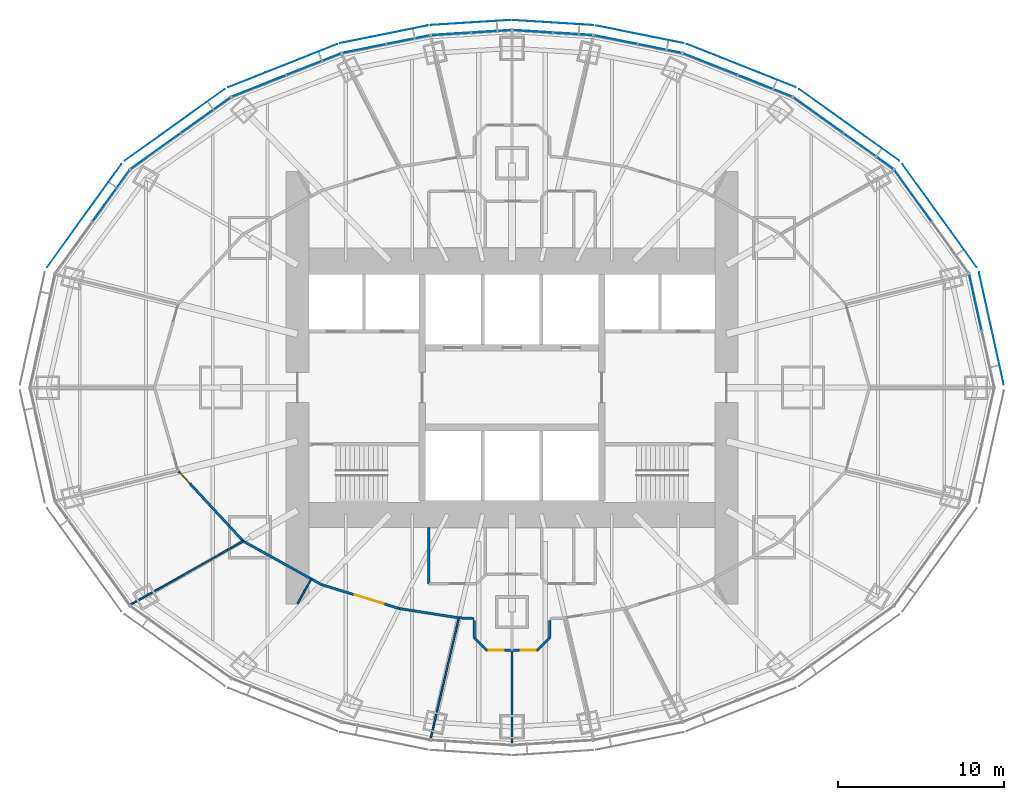
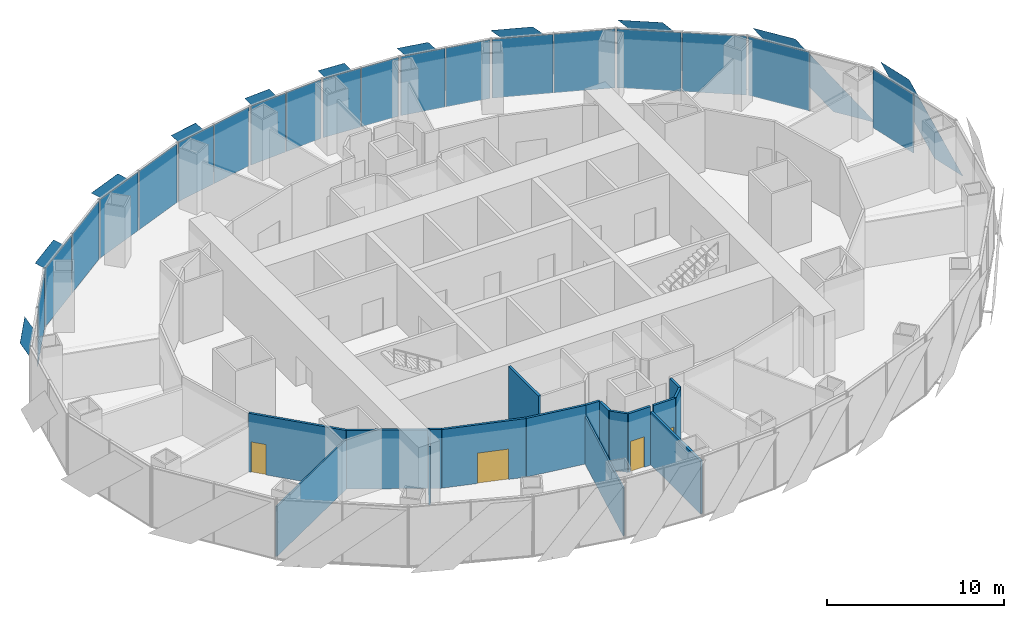
# One storey, part 10 of 17: 30 plates, 16 walls, 4 doors, 4 openings, 11 elements without a shape of their own.
"""IFC4 building model written with IfcOpenShell, lengths in metres."""

from ifc_helpers import new_model, si_unit, direction, frame, frame_2d, origin, origin_2d, place, context, subcontext, project, spatial, polyline, rectangle, outline, extrude, material, layer, layer_set, type_object, element, fill, aggregate, save


model = new_model("IFC4")

# Units and contexts
model_context = context("Model", 3, precision=1e-05, world=origin(), true_north=direction((0.0, 1.0)))
body_context = subcontext(model_context, "Body", "Model", "MODEL_VIEW")
ifc_project = project(units=[si_unit("LENGTHUNIT", "METRE"), si_unit("AREAUNIT", "SQUARE_METRE"), si_unit("VOLUMEUNIT", "CUBIC_METRE"), si_unit("PLANEANGLEUNIT", "RADIAN"), si_unit("MASSUNIT", "GRAM", prefix="KILO")], contexts=[model_context])

# Site, building, storey
site_placement = place(None, origin())
site = spatial("IfcSite", under=ifc_project, at=site_placement, CompositionType="ELEMENT")
building_placement = place(site_placement, origin())
building = spatial("IfcBuilding", under=site, at=building_placement, Name="Lantaw Convention Tower", CompositionType="ELEMENT")
storey_placement = place(building_placement, frame((0.0, 0.0, 155.199951171875)))
storey = spatial("IfcBuildingStorey", under=building, at=storey_placement, Name="L36", CompositionType="ELEMENT", Elevation=155.199951171875)

# Curtain wall, plate
ifc_material_1 = material(Name="Aluminium framed curtain wall", Category="aluminium")
curtain_wall_type = type_object("IfcCurtainWallType", Name="Office curtain wall low rise, pale aluminium", PredefinedType="USERDEFINED", material=ifc_material_1)
curtain_wall_1_placement = place(storey_placement, origin())
curtain_wall_1 = element("IfcCurtainWall", 1, at=curtain_wall_1_placement, inside=storey, type_object=curtain_wall_type, Name="Office curtain wall low rise, pale aluminium L36", ObjectType="UNITISED CURTAIN WALL", PredefinedType="USERDEFINED")
ifc_material_2 = material(Name="Clear insulating glass", Category="glass")
ifc_layer_1 = layer(ifc_material_2, 0.028076171875)
ifc_layer_set_1 = layer_set([ifc_layer_1], Name="CW-O1 panel 28")
plate_type_1 = type_object("IfcPlateType", Name="CW-O1 panel 28", PredefinedType="CURTAIN_PANEL", material=ifc_layer_set_1)
plate_1_placement = place(storey_placement, frame((27.868896484375, 5.1240234375, -0.0849609375), z_axis=(0.0, 0.0, 1.0), x_axis=(-0.215546166174, 0.9764936509, 0.0)))
plate_1 = element("IfcPlate", 2, at=plate_1_placement, type_object=plate_type_1, Name="CW-O1 panel 2.1", PredefinedType="CURTAIN_PANEL", context=body_context, shape_type="SweptSolid", body=[
    extrude(rectangle(XDim=3.41162109375, YDim=0.028076171875, at=origin_2d()), origin(), (0.0, 0.0, 1.0), 4.070068359375),
])
aggregate(curtain_wall_1, [plate_1])

curtain_wall_2_placement = place(storey_placement, origin())
curtain_wall_2 = element("IfcCurtainWall", 3, at=curtain_wall_2_placement, inside=storey, type_object=curtain_wall_type, Name="Office curtain wall low rise, pale aluminium L36", ObjectType="UNITISED CURTAIN WALL", PredefinedType="USERDEFINED")
plate_2_placement = place(storey_placement, frame((24.108154296875, 11.5439453125, -0.0849609375), z_axis=(0.0, 0.0, 1.0), x_axis=(-0.584512597221, 0.811384633629, 0.0)))
plate_2 = element("IfcPlate", 4, at=plate_2_placement, type_object=plate_type_1, Name="CW-O1 panel 2.1", PredefinedType="CURTAIN_PANEL", context=body_context, shape_type="SweptSolid", body=[
    extrude(rectangle(XDim=3.767333984375, YDim=0.028076171875, at=origin_2d()), origin(), (0.0, 0.0, 1.0), 4.070068359375),
])
aggregate(curtain_wall_2, [plate_2])

# Curtain wall, plates
curtain_wall_3_placement = place(storey_placement, origin())
curtain_wall_3 = element("IfcCurtainWall", 5, at=curtain_wall_3_placement, inside=storey, type_object=curtain_wall_type, Name="Office curtain wall low rise, pale aluminium L36", ObjectType="UNITISED CURTAIN WALL", PredefinedType="USERDEFINED")
plate_3_placement = place(storey_placement, frame((21.43408203125, 14.2236328125, -0.0849609375), z_axis=(0.0, 0.0, 1.0), x_axis=(-0.813208325995, 0.581972695693, 0.0)))
plate_3 = element("IfcPlate", 6, at=plate_3_placement, type_object=plate_type_1, Name="CW-O1 panel 1.1", PredefinedType="CURTAIN_PANEL", context=body_context, shape_type="SweptSolid", body=[
    extrude(rectangle(XDim=3.645263671875, YDim=0.028076171875, at=origin_2d()), origin(), (0.0, 0.0, 1.0), 4.070068359375),
])
plate_4_placement = place(storey_placement, frame((18.416748046875, 16.383056640625, -0.0849609375), z_axis=(0.0, 0.0, 1.0), x_axis=(-0.813208325995, 0.581972695693, 0.0)))
plate_4 = element("IfcPlate", 7, at=plate_4_placement, type_object=plate_type_1, Name="CW-O1 panel 2.1", PredefinedType="CURTAIN_PANEL", context=body_context, shape_type="SweptSolid", body=[
    extrude(rectangle(XDim=3.645263671875, YDim=0.028076171875, at=origin_2d()), origin(), (0.0, 0.0, 1.0), 4.070068359375),
])
aggregate(curtain_wall_3, [plate_3, plate_4])

curtain_wall_4_placement = place(storey_placement, origin())
curtain_wall_4 = element("IfcCurtainWall", 8, at=curtain_wall_4_placement, inside=storey, type_object=curtain_wall_type, Name="Office curtain wall low rise, pale aluminium L36", ObjectType="UNITISED CURTAIN WALL", PredefinedType="USERDEFINED")
plate_5_placement = place(storey_placement, frame((15.208251953125, 18.145263671875, -0.0849609375), z_axis=(0.0, 0.0, 1.0), x_axis=(-0.929547687544, 0.368701907483, 0.0)))
plate_5 = element("IfcPlate", 9, at=plate_5_placement, type_object=plate_type_1, Name="CW-O1 panel 1.1", PredefinedType="CURTAIN_PANEL", context=body_context, shape_type="SweptSolid", body=[
    extrude(rectangle(XDim=3.470703125, YDim=0.028076171875, at=origin_2d()), origin(), (0.0, 0.0, 1.0), 4.070068359375),
])
plate_6_placement = place(storey_placement, frame((11.921630859375, 19.448974609375, -0.0849609375), z_axis=(0.0, 0.0, 1.0), x_axis=(-0.929547687544, 0.368701907483, 0.0)))
plate_6 = element("IfcPlate", 10, at=plate_6_placement, type_object=plate_type_1, Name="CW-O1 panel 2.1", PredefinedType="CURTAIN_PANEL", context=body_context, shape_type="SweptSolid", body=[
    extrude(rectangle(XDim=3.470703125, YDim=0.028076171875, at=origin_2d()), origin(), (0.0, 0.0, 1.0), 4.070068359375),
])
aggregate(curtain_wall_4, [plate_5, plate_6])

curtain_wall_5_placement = place(storey_placement, origin())
curtain_wall_5 = element("IfcCurtainWall", 11, at=curtain_wall_5_placement, inside=storey, type_object=curtain_wall_type, Name="Office curtain wall low rise, pale aluminium L36", ObjectType="UNITISED CURTAIN WALL", PredefinedType="USERDEFINED")
plate_7_placement = place(storey_placement, frame((8.893310546875, 20.3857421875, -0.0849609375), z_axis=(0.0, 0.0, 1.0), x_axis=(-0.980301514912, 0.197506809659, 0.0)))
plate_7 = element("IfcPlate", 12, at=plate_7_placement, type_object=plate_type_1, Name="CW-O1 panel 1.1", PredefinedType="CURTAIN_PANEL", context=body_context, shape_type="SweptSolid", body=[
    extrude(rectangle(XDim=2.634033203125, YDim=0.028076171875, at=origin_2d()), origin(), (0.0, 0.0, 1.0), 4.070068359375),
])
plate_8_placement = place(storey_placement, frame((6.247314453125, 20.9189453125, -0.0849609375), z_axis=(0.0, 0.0, 1.0), x_axis=(-0.980301514912, 0.197506809659, 0.0)))
plate_8 = element("IfcPlate", 13, at=plate_8_placement, type_object=plate_type_1, Name="CW-O1 panel 2.1", PredefinedType="CURTAIN_PANEL", context=body_context, shape_type="SweptSolid", body=[
    extrude(rectangle(XDim=2.634033203125, YDim=0.028076171875, at=origin_2d()), origin(), (0.0, 0.0, 1.0), 4.070068359375),
])
aggregate(curtain_wall_5, [plate_7, plate_8])

curtain_wall_6_placement = place(storey_placement, origin())
curtain_wall_6 = element("IfcCurtainWall", 14, at=curtain_wall_6_placement, inside=storey, type_object=curtain_wall_type, Name="Office curtain wall low rise, pale aluminium L36", ObjectType="UNITISED CURTAIN WALL", PredefinedType="USERDEFINED")
plate_9_placement = place(storey_placement, frame((3.653076171875, 21.269775390625, -0.0849609375), z_axis=(0.0, 0.0, 1.0), x_axis=(-0.998022035978, 0.062865059466, 0.0)))
plate_9 = element("IfcPlate", 15, at=plate_9_placement, type_object=plate_type_1, Name="CW-O1 panel 1.1", PredefinedType="CURTAIN_PANEL", context=body_context, shape_type="SweptSolid", body=[
    extrude(rectangle(XDim=2.353515625, YDim=0.028076171875, at=origin_2d()), origin(), (0.0, 0.0, 1.0), 4.070068359375),
])
plate_10_placement = place(storey_placement, frame((1.2392578125, 21.421875, -0.0849609375), z_axis=(0.0, 0.0, 1.0), x_axis=(-0.998022035978, 0.062865059466, 0.0)))
plate_10 = element("IfcPlate", 16, at=plate_10_placement, type_object=plate_type_1, Name="CW-O1 panel 2.1", PredefinedType="CURTAIN_PANEL", context=body_context, shape_type="SweptSolid", body=[
    extrude(rectangle(XDim=2.353515625, YDim=0.028076171875, at=origin_2d()), origin(), (0.0, 0.0, 1.0), 4.070068359375),
])
aggregate(curtain_wall_6, [plate_9, plate_10])

curtain_wall_7_placement = place(storey_placement, origin())
curtain_wall_7 = element("IfcCurtainWall", 17, at=curtain_wall_7_placement, inside=storey, type_object=curtain_wall_type, Name="Office curtain wall low rise, pale aluminium L36", ObjectType="UNITISED CURTAIN WALL", PredefinedType="USERDEFINED")
plate_11_placement = place(storey_placement, frame((-1.2392578125, 21.421875, -0.0849609375), z_axis=(0.0, 0.0, 1.0), x_axis=(-0.998022035978, -0.062865059466, 0.0)))
plate_11 = element("IfcPlate", 18, at=plate_11_placement, type_object=plate_type_1, Name="CW-O1 panel 1.1", PredefinedType="CURTAIN_PANEL", context=body_context, shape_type="SweptSolid", body=[
    extrude(rectangle(XDim=2.353515625, YDim=0.028076171875, at=origin_2d()), origin(), (0.0, 0.0, 1.0), 4.070068359375),
])
plate_12_placement = place(storey_placement, frame((-3.653076171875, 21.269775390625, -0.0849609375), z_axis=(0.0, 0.0, 1.0), x_axis=(-0.998022035978, -0.062865059466, 0.0)))
plate_12 = element("IfcPlate", 19, at=plate_12_placement, type_object=plate_type_1, Name="CW-O1 panel 2.1", PredefinedType="CURTAIN_PANEL", context=body_context, shape_type="SweptSolid", body=[
    extrude(rectangle(XDim=2.353515625, YDim=0.028076171875, at=origin_2d()), origin(), (0.0, 0.0, 1.0), 4.070068359375),
])
aggregate(curtain_wall_7, [plate_11, plate_12])

curtain_wall_8_placement = place(storey_placement, origin())
curtain_wall_8 = element("IfcCurtainWall", 20, at=curtain_wall_8_placement, inside=storey, type_object=curtain_wall_type, Name="Office curtain wall low rise, pale aluminium L36", ObjectType="UNITISED CURTAIN WALL", PredefinedType="USERDEFINED")
plate_13_placement = place(storey_placement, frame((-6.247314453125, 20.9189453125, -0.0849609375), z_axis=(0.0, 0.0, 1.0), x_axis=(-0.980301514912, -0.197506809659, 0.0)))
plate_13 = element("IfcPlate", 21, at=plate_13_placement, type_object=plate_type_1, Name="CW-O1 panel 1.1", PredefinedType="CURTAIN_PANEL", context=body_context, shape_type="SweptSolid", body=[
    extrude(rectangle(XDim=2.634033203125, YDim=0.028076171875, at=origin_2d()), origin(), (0.0, 0.0, 1.0), 4.070068359375),
])
plate_14_placement = place(storey_placement, frame((-8.893310546875, 20.3857421875, -0.0849609375), z_axis=(0.0, 0.0, 1.0), x_axis=(-0.980301514912, -0.197506809659, 0.0)))
plate_14 = element("IfcPlate", 22, at=plate_14_placement, type_object=plate_type_1, Name="CW-O1 panel 2.1", PredefinedType="CURTAIN_PANEL", context=body_context, shape_type="SweptSolid", body=[
    extrude(rectangle(XDim=2.634033203125, YDim=0.028076171875, at=origin_2d()), origin(), (0.0, 0.0, 1.0), 4.070068359375),
])
aggregate(curtain_wall_8, [plate_13, plate_14])

curtain_wall_9_placement = place(storey_placement, origin())
curtain_wall_9 = element("IfcCurtainWall", 23, at=curtain_wall_9_placement, inside=storey, type_object=curtain_wall_type, Name="Office curtain wall low rise, pale aluminium L36", ObjectType="UNITISED CURTAIN WALL", PredefinedType="USERDEFINED")
plate_15_placement = place(storey_placement, frame((-11.921630859375, 19.448974609375, -0.0849609375), z_axis=(0.0, 0.0, 1.0), x_axis=(-0.929547687544, -0.368701907483, 0.0)))
plate_15 = element("IfcPlate", 24, at=plate_15_placement, type_object=plate_type_1, Name="CW-O1 panel 1.1", PredefinedType="CURTAIN_PANEL", context=body_context, shape_type="SweptSolid", body=[
    extrude(rectangle(XDim=3.470703125, YDim=0.028076171875, at=origin_2d()), origin(), (0.0, 0.0, 1.0), 4.070068359375),
])
plate_16_placement = place(storey_placement, frame((-15.208251953125, 18.145263671875, -0.0849609375), z_axis=(0.0, 0.0, 1.0), x_axis=(-0.929547687544, -0.368701907483, 0.0)))
plate_16 = element("IfcPlate", 25, at=plate_16_placement, type_object=plate_type_1, Name="CW-O1 panel 2.1", PredefinedType="CURTAIN_PANEL", context=body_context, shape_type="SweptSolid", body=[
    extrude(rectangle(XDim=3.470703125, YDim=0.028076171875, at=origin_2d()), origin(), (0.0, 0.0, 1.0), 4.070068359375),
])
aggregate(curtain_wall_9, [plate_15, plate_16])

curtain_wall_10_placement = place(storey_placement, origin())
curtain_wall_10 = element("IfcCurtainWall", 26, at=curtain_wall_10_placement, inside=storey, type_object=curtain_wall_type, Name="Office curtain wall low rise, pale aluminium L36", ObjectType="UNITISED CURTAIN WALL", PredefinedType="USERDEFINED")
plate_17_placement = place(storey_placement, frame((-18.416748046875, 16.383056640625, -0.0849609375), z_axis=(0.0, 0.0, 1.0), x_axis=(-0.813208325995, -0.581972695693, 0.0)))
plate_17 = element("IfcPlate", 27, at=plate_17_placement, type_object=plate_type_1, Name="CW-O1 panel 1.1", PredefinedType="CURTAIN_PANEL", context=body_context, shape_type="SweptSolid", body=[
    extrude(rectangle(XDim=3.645263671875, YDim=0.028076171875, at=origin_2d()), origin(), (0.0, 0.0, 1.0), 4.070068359375),
])
plate_18_placement = place(storey_placement, frame((-21.43408203125, 14.2236328125, -0.0849609375), z_axis=(0.0, 0.0, 1.0), x_axis=(-0.813208325995, -0.581972695693, 0.0)))
plate_18 = element("IfcPlate", 28, at=plate_18_placement, type_object=plate_type_1, Name="CW-O1 panel 2.1", PredefinedType="CURTAIN_PANEL", context=body_context, shape_type="SweptSolid", body=[
    extrude(rectangle(XDim=3.645263671875, YDim=0.028076171875, at=origin_2d()), origin(), (0.0, 0.0, 1.0), 4.070068359375),
])
aggregate(curtain_wall_10, [plate_17, plate_18])

# Curtain wall, plate
curtain_wall_11_placement = place(storey_placement, origin())
curtain_wall_11 = element("IfcCurtainWall", 29, at=curtain_wall_11_placement, inside=storey, type_object=curtain_wall_type, Name="Office curtain wall low rise, pale aluminium L36", ObjectType="UNITISED CURTAIN WALL", PredefinedType="USERDEFINED")
plate_19_placement = place(storey_placement, frame((-24.108154296875, 11.5439453125, -0.0849609375), z_axis=(0.0, 0.0, 1.0), x_axis=(-0.584512597221, -0.811384633629, 0.0)))
plate_19 = element("IfcPlate", 30, at=plate_19_placement, type_object=plate_type_1, Name="CW-O1 panel 1.1", PredefinedType="CURTAIN_PANEL", context=body_context, shape_type="SweptSolid", body=[
    extrude(rectangle(XDim=3.767333984375, YDim=0.028076171875, at=origin_2d()), origin(), (0.0, 0.0, 1.0), 4.070068359375),
])
aggregate(curtain_wall_11, [plate_19])

# Plates
ifc_material_3 = material(Name="Perforated aluminium sheet, pale silver finish", Category="aluminium")
ifc_layer_2 = layer(ifc_material_3, 0.006103515625)
ifc_layer_set_2 = layer_set([ifc_layer_2], Name="Perforated aluminium solar SCREEN panel")
plate_type_2 = type_object("IfcPlateType", Name="Perforated aluminium solar SCREEN panel", PredefinedType="SHEET", material=ifc_layer_set_2)
plate_20_placement = place(storey_placement, frame((29.5810546875, 0.179443359375, -0.175048828125), z_axis=(0.976497812463, 0.215527309509, 3.332717e-05), x_axis=(-0.215527309629, 0.976497813005, 1.665e-09)))
element("IfcPlate", 31, at=plate_20_placement, inside=storey, type_object=plate_type_2, Name="Solar SCREEN panel", PredefinedType="SHEET", context=body_context, shape_type="SweptSolid", body=[
    extrude(outline(polyline([(0.0, 0.0), (2.3861843673609986, 3.3881317890172014e-21), (6.918240190546627, 4.340087881517419), (4.532108442157707, 4.340087889462621), (0.0, 0.0)])), origin(), (0.0, 0.0, -1.0), 0.006103515625),
])
plate_21_placement = place(storey_placement, frame((27.94970703125, 7.248046875, -0.175048828125), z_axis=(0.81139512159, 0.584498037099, 3.5886784e-05), x_axis=(-0.584498037475, 0.811395122112, -9.74e-10)))
element("IfcPlate", 32, at=plate_21_placement, inside=storey, type_object=plate_type_2, Name="Solar SCREEN panel", PredefinedType="SHEET", context=body_context, shape_type="SweptSolid", body=[
    extrude(outline(polyline([(0.0, 0.0), (2.628222178575422, -6.776263578034403e-21), (7.629778257969264, 4.340087900852944), (5.001754173906077, 4.340087895732103), (0.0, 0.0)])), origin(), (0.0, 0.0, -1.0), 0.006103515625),
])
plate_22_placement = place(storey_placement, frame((23.281005859375, 13.64697265625, -0.175048828125), z_axis=(0.582000183937, 0.813188653244, 1.1537145e-05), x_axis=(-0.813188653298, 0.582000183975, 0.0)))
element("IfcPlate", 33, at=plate_22_placement, inside=storey, type_object=plate_type_2, Name="Solar SCREEN panel", PredefinedType="SHEET", context=body_context, shape_type="SweptSolid", body=[
    extrude(outline(polyline([(0.0, 0.0), (2.5450183911586484, 0.0), (7.385531276904658, 4.340087890913846), (4.840512885746009, 4.340087890913846), (0.0, 0.0)])), origin(), (0.0, 0.0, -1.0), 0.006103515625),
])
plate_23_placement = place(storey_placement, frame((17.05859375, 18.063232421875, -0.175048828125), z_axis=(-0.368708915367, -0.929544907797, 1.086705e-05), x_axis=(-0.929544907851, 0.368708915389, 7.1e-10)))
element("IfcPlate", 34, at=plate_23_placement, inside=storey, type_object=plate_type_2, Name="Solar SCREEN panel", PredefinedType="SHEET", context=body_context, shape_type="SweptSolid", body=[
    extrude(outline(polyline([(0.0, 0.0), (2.4263803793049097, -1.6940658945086007e-21), (7.036549629566982, -4.340087885886879), (4.61003232741235, -4.340087889331358), (0.0, 0.0)])), origin(), (0.0, 0.0, -1.0), 0.006103515625),
])
plate_24_placement = place(storey_placement, frame((10.318603515625, 20.716796875, -0.175048828125), z_axis=(0.197556725442, 0.980291455983, 3.9483498e-05), x_axis=(-0.980291456747, 0.197556725596, 0.0)))
element("IfcPlate", 35, at=plate_24_placement, inside=storey, type_object=plate_type_2, Name="Solar SCREEN panel", PredefinedType="SHEET", context=body_context, shape_type="SweptSolid", body=[
    extrude(outline(polyline([(0.0, 0.0), (1.8574075788555457, 3.3881317890172014e-21), (5.362987026845185, 4.340087894007983), (3.505579447989639, 4.340087894007983), (0.0, 0.0)])), origin(), (0.0, 0.0, -1.0), 0.006103515625),
])
plate_25_placement = place(storey_placement, frame((4.880615234375, 21.7998046875, -0.175048828125), z_axis=(0.062838799866, 0.998023689713, 1.755059e-06), x_axis=(-0.998023689715, 0.062838799866, -8e-12)))
element("IfcPlate", 36, at=plate_25_placement, inside=storey, type_object=plate_type_2, Name="Solar SCREEN panel", PredefinedType="SHEET", context=body_context, shape_type="SweptSolid", body=[
    extrude(outline(polyline([(0.0, 0.0), (1.6666243269452135, 2.6469779601696886e-23), (4.802214797186689, 4.340087890670476), (3.135346812114104, 4.340087890643548), (0.0, 0.0)])), origin(), (0.0, 0.0, -1.0), 0.006103515625),
])
plate_26_placement = place(storey_placement, frame((-0.087890625, 22.1015625, -0.175048828125), z_axis=(0.062838799866, -0.998023689713, 1.755059e-06), x_axis=(-0.998023689715, -0.062838799866, 8e-12)))
element("IfcPlate", 37, at=plate_26_placement, inside=storey, type_object=plate_type_2, Name="Solar SCREEN panel", PredefinedType="SHEET", context=body_context, shape_type="SweptSolid", body=[
    extrude(outline(polyline([(0.0, 0.0), (1.6668679850725854, -5.293955920339377e-23), (4.802214797256801, -4.340087890592899), (3.1355904703115876, -4.340087890619822), (0.0, 0.0)])), origin(), (0.0, 0.0, -1.0), 0.006103515625),
])
plate_27_placement = place(storey_placement, frame((-5.061279296875, 21.776123046875, -0.175048828125), z_axis=(0.197556725442, -0.980291455983, 3.9483498e-05), x_axis=(-0.980291456747, -0.197556725596, 0.0)))
element("IfcPlate", 38, at=plate_27_placement, inside=storey, type_object=plate_type_2, Name="Solar SCREEN panel", PredefinedType="SHEET", context=body_context, shape_type="SweptSolid", body=[
    extrude(outline(polyline([(0.0, 0.0), (1.8574075788555457, -3.3881317890172014e-21), (5.362987026845185, -4.340087894007983), (3.505579447989639, -4.340087894007983), (0.0, 0.0)])), origin(), (0.0, 0.0, -1.0), 0.006103515625),
])
plate_28_placement = place(storey_placement, frame((-10.517822265625, 20.65771484375, -0.175048828125), z_axis=(-0.368708915367, 0.929544907797, 1.086705e-05), x_axis=(-0.929544907851, -0.368708915389, -7.1e-10)))
element("IfcPlate", 39, at=plate_28_placement, inside=storey, type_object=plate_type_2, Name="Solar SCREEN panel", PredefinedType="SHEET", context=body_context, shape_type="SweptSolid", body=[
    extrude(outline(polyline([(0.0, 0.0), (2.426517302154632, -1.6940658945086007e-21), (7.036549623406159, 4.340087895875372), (4.610169244101249, 4.340087892431086), (0.0, 0.0)])), origin(), (0.0, 0.0, -1.0), 0.006103515625),
])
plate_29_placement = place(storey_placement, frame((-17.275146484375, 17.9453125, -0.175048828125), z_axis=(0.582000183937, -0.813188653244, 1.1537145e-05), x_axis=(-0.813188653298, -0.582000183975, 0.0)))
element("IfcPlate", 40, at=plate_29_placement, inside=storey, type_object=plate_type_2, Name="Solar SCREEN panel", PredefinedType="SHEET", context=body_context, shape_type="SweptSolid", body=[
    extrude(outline(polyline([(0.0, 0.0), (2.5450183911586484, 0.0), (7.385531276904658, -4.340087890913846), (4.840512885746009, -4.340087890913846), (0.0, 0.0)])), origin(), (0.0, 0.0, -1.0), 0.006103515625),
])
plate_30_placement = place(storey_placement, frame((-23.489990234375, 13.438720703125, -0.175048828125), z_axis=(0.81139512159, -0.584498037099, 3.5886784e-05), x_axis=(-0.584498037475, -0.811395122112, 9.74e-10)))
element("IfcPlate", 41, at=plate_30_placement, inside=storey, type_object=plate_type_2, Name="Solar SCREEN panel", PredefinedType="SHEET", context=body_context, shape_type="SweptSolid", body=[
    extrude(outline(polyline([(0.0, 0.0), (2.6280240840631874, -6.776263578034403e-21), (7.6297782664261495, -4.340087885985926), (5.0015560878507275, -4.340087891107152), (0.0, 0.0)])), origin(), (0.0, 0.0, -1.0), 0.006103515625),
])

# Wall, opening, door
ifc_material_4 = material(Name="Gypsum board on steel studs, fire rated", Category="steel")
ifc_layer_3 = layer(ifc_material_4, 0.14990234375)
ifc_layer_set_3 = layer_set([ifc_layer_3], Name="Corridor wall 150 EI 60")
wall_type_1 = type_object("IfcWallType", Name="Corridor wall 150 EI 60", PredefinedType="PARTITIONING", material=ifc_layer_set_3)
wall_1_placement = place(storey_placement, frame((-20.078369140625, -5.006103515625, 0.0), z_axis=(0.0, 0.0, 1.0), x_axis=(0.679724658223, -0.733467374191, 0.0)))
wall_1 = element("IfcWall", 42, at=wall_1_placement, inside=storey, type_object=wall_type_1, Name="Corridor wall 150", PredefinedType="PARTITIONING", context=body_context, shape_type="SweptSolid", body=[
    extrude(rectangle(XDim=5.764892578125, YDim=0.14990234375, at=frame_2d((2.88232421875, 0.0))), origin(), (0.0, 0.0, 1.0), 4.050048828125),
])
opening_1_placement = place(wall_1_placement, frame((0.14990234375, 0.0, 0.0)))
opening_1 = element("IfcOpeningElement", 43, at=opening_1_placement, cuts=wall_1, Name="Opening L36.31", PredefinedType="OPENING", context=body_context, shape_type="SweptSolid", body=[
    extrude(rectangle(XDim=0.89990234375, YDim=2.10009765625, at=frame_2d((0.449951171875, 1.050048828125))), frame((0.0, 0.0849609375, 0.0), z_axis=(0.0, -1.0, 0.0), x_axis=(1.0, 0.0, 0.0)), (0.0, 0.0, 1.0), 0.169921875),
])
ifc_material_5 = material(Name="Steel, fire rated", Category="steel")
door_type_1 = type_object("IfcDoorType", Name="Office door 900 FD30", OperationType="SINGLE_SWING_LEFT", PredefinedType="DOOR", material=ifc_material_5)
door_1_placement = place(opening_1_placement, origin())
door_1 = element("IfcDoor", 44, at=door_1_placement, inside=storey, type_object=door_type_1, Name="Private office door", OperationType="SINGLE_SWING_LEFT", OverallHeight=2.10009765625, OverallWidth=0.89990234375, PredefinedType="DOOR", context=body_context, shape_type="SweptSolid", body=[
    extrude(rectangle(XDim=0.89990234375, YDim=2.10009765625, at=frame_2d((0.449951171875, 1.050048828125))), frame((0.0, 0.02490234375, 0.0), z_axis=(0.0, -1.0, 0.0), x_axis=(1.0, 0.0, 0.0)), (0.0, 0.0, 1.0), 0.050048828125),
])
fill(opening_1, door_1)

# Wall
wall_2_placement = place(storey_placement, frame((-16.159912109375, -9.234375, 0.0), z_axis=(0.0, 0.0, 1.0), x_axis=(0.87433873028, -0.485316169865, 0.0)))
element("IfcWall", 45, at=wall_2_placement, inside=storey, type_object=wall_type_1, Name="Corridor wall 150", PredefinedType="PARTITIONING", context=body_context, shape_type="SweptSolid", body=[
    extrude(rectangle(XDim=5.392822265625, YDim=0.14990234375, at=frame_2d((2.6962890625, 0.0))), origin(), (0.0, 0.0, 1.0), 4.050048828125),
])

# Wall, opening, door
wall_3_placement = place(storey_placement, frame((-11.44482421875, -11.8515625, 0.0), z_axis=(0.0, 0.0, 1.0), x_axis=(0.955892284323, -0.293717450573, 0.0)))
wall_3 = element("IfcWall", 46, at=wall_3_placement, inside=storey, type_object=wall_type_1, Name="Corridor wall 150", PredefinedType="PARTITIONING", context=body_context, shape_type="SweptSolid", body=[
    extrude(rectangle(XDim=4.889892578125, YDim=0.14990234375, at=frame_2d((2.44482421875, 0.0))), origin(), (0.0, 0.0, 1.0), 4.050048828125),
])
opening_2_placement = place(wall_3_placement, frame((2.08154296875, 0.0, 0.0)))
opening_2 = element("IfcOpeningElement", 47, at=opening_2_placement, cuts=wall_3, Name="Opening L36.32", PredefinedType="OPENING", context=body_context, shape_type="SweptSolid", body=[
    extrude(rectangle(XDim=1.800048828125, YDim=2.10009765625, at=frame_2d((0.89990234375, 1.050048828125))), frame((0.0, 0.0849609375, 0.0), z_axis=(0.0, -1.0, 0.0), x_axis=(1.0, 0.0, 0.0)), (0.0, 0.0, 1.0), 0.169921875),
])
door_type_2 = type_object("IfcDoorType", Name="Office double door 1800 FD30", OperationType="DOUBLE_DOOR_DOUBLE_SWING", PredefinedType="DOOR", material=ifc_material_5)
door_2_placement = place(opening_2_placement, origin())
door_2 = element("IfcDoor", 48, at=door_2_placement, inside=storey, type_object=door_type_2, Name="Tenant suite door", OperationType="DOUBLE_DOOR_DOUBLE_SWING", OverallHeight=2.10009765625, OverallWidth=1.800048828125, PredefinedType="DOOR", context=body_context, shape_type="SweptSolid", body=[
    extrude(rectangle(XDim=1.800048828125, YDim=2.10009765625, at=frame_2d((0.89990234375, 1.050048828125))), frame((0.0, 0.02490234375, 0.0), z_axis=(0.0, -1.0, 0.0), x_axis=(1.0, 0.0, 0.0)), (0.0, 0.0, 1.0), 0.050048828125),
])
fill(opening_2, door_2)

# Walls
wall_4_placement = place(storey_placement, frame((-6.7705078125, -13.287841796875, 0.0), z_axis=(0.0, 0.0, 1.0), x_axis=(0.98808911792, -0.153882731479, 0.0)))
element("IfcWall", 49, at=wall_4_placement, inside=storey, type_object=wall_type_1, Name="Corridor wall 150", PredefinedType="PARTITIONING", context=body_context, shape_type="SweptSolid", body=[
    extrude(rectangle(XDim=3.6171875, YDim=0.14990234375, at=frame_2d((1.80859375, 0.0))), origin(), (0.0, 0.0, 1.0), 4.050048828125),
])
wall_5_placement = place(storey_placement, frame((-3.1962890625, -13.844482421875, 0.0), z_axis=(0.0, 0.0, 1.0), x_axis=(0.998826757305, -0.048426324366, 0.0)))
element("IfcWall", 50, at=wall_5_placement, inside=storey, type_object=wall_type_1, Name="Corridor wall 150", PredefinedType="PARTITIONING", context=body_context, shape_type="SweptSolid", body=[
    extrude(rectangle(XDim=0.90234375, YDim=0.14990234375, at=frame_2d((0.451171875, 0.0))), origin(), (0.0, 0.0, 1.0), 4.050048828125),
])
for number, where, z_axis, x_axis, name in (
    (51, (-2.284912109375, -15.0322265625, 0.0), (0.0, 0.0, 1.0), (0.0, 1.0, 0.0), "Corridor wall 150"),
    (52, (2.284912109375, -13.989990234375, 0.0), (0.0, 0.0, 1.0), (0.0, -1.0, 0.0), "Corridor wall 150"),
):
    element("IfcWall", number, at=place(storey_placement, frame(where, z_axis=z_axis, x_axis=x_axis)), inside=storey, type_object=wall_type_1, Name=name, PredefinedType="PARTITIONING", context=body_context, shape_type="SweptSolid", body=[
        extrude(rectangle(XDim=1.042236328125, YDim=0.14990234375, at=frame_2d((0.52099609375, 0.0))), origin(), (0.0, 0.0, 1.0), 4.050048828125),
    ])
wall_6_placement = place(storey_placement, frame((2.284912109375, -15.0322265625, 0.0), z_axis=(0.0, 0.0, 1.0), x_axis=(-0.707106781187, -0.707106781187, 0.0)))
element("IfcWall", 53, at=wall_6_placement, inside=storey, type_object=wall_type_1, Name="Corridor wall 150", PredefinedType="PARTITIONING", context=body_context, shape_type="SweptSolid", body=[
    extrude(rectangle(XDim=1.064453125, YDim=0.14990234375, at=frame_2d((0.5322265625, 0.0))), origin(), (0.0, 0.0, 1.0), 4.050048828125),
])

# Wall, opening, door
wall_7_placement = place(storey_placement, frame((1.5322265625, -15.784912109375, 0.0), z_axis=(0.0, 0.0, 1.0), x_axis=(-1.0, 0.0, 0.0)))
wall_7 = element("IfcWall", 54, at=wall_7_placement, inside=storey, type_object=wall_type_1, Name="Corridor wall 150", PredefinedType="PARTITIONING", context=body_context, shape_type="SweptSolid", body=[
    extrude(rectangle(XDim=1.428955078125, YDim=0.14990234375, at=frame_2d((0.71435546875, 0.0))), origin(), (0.0, 0.0, 1.0), 4.050048828125),
])
opening_3_placement = place(wall_7_placement, frame((0.10009765625, 0.0, 0.0)))
opening_3 = element("IfcOpeningElement", 55, at=opening_3_placement, cuts=wall_7, Name="Opening L36.34", PredefinedType="OPENING", context=body_context, shape_type="SweptSolid", body=[
    extrude(rectangle(XDim=0.89990234375, YDim=2.10009765625, at=frame_2d((0.449951171875, 1.050048828125))), frame((0.0, 0.0849609375, 0.0), z_axis=(0.0, -1.0, 0.0), x_axis=(1.0, 0.0, 0.0)), (0.0, 0.0, 1.0), 0.169921875),
])
door_3_placement = place(opening_3_placement, origin())
door_3 = element("IfcDoor", 56, at=door_3_placement, inside=storey, type_object=door_type_1, Name="Meeting room door", OperationType="SINGLE_SWING_LEFT", OverallHeight=2.10009765625, OverallWidth=0.89990234375, PredefinedType="DOOR", context=body_context, shape_type="SweptSolid", body=[
    extrude(rectangle(XDim=0.89990234375, YDim=2.10009765625, at=frame_2d((0.449951171875, 1.050048828125))), frame((0.0, 0.02490234375, 0.0), z_axis=(0.0, -1.0, 0.0), x_axis=(1.0, 0.0, 0.0)), (0.0, 0.0, 1.0), 0.050048828125),
])
fill(opening_3, door_3)

# Walls
ifc_material_6 = material(Name="Gypsum board on steel studs, acoustic", Category="steel")
ifc_layer_4 = layer(ifc_material_6, 0.10009765625)
ifc_layer_set_4 = layer_set([ifc_layer_4], Name="Office partition 100")
wall_type_2 = type_object("IfcWallType", Name="Office partition 100", PredefinedType="PARTITIONING", material=ifc_layer_set_4)
wall_8_placement = place(storey_placement, frame((-22.94921875, -13.058837890625, 0.0), z_axis=(0.0, 0.0, 1.0), x_axis=(0.871274989434, 0.490795163777, 0.0)))
element("IfcWall", 57, at=wall_8_placement, inside=storey, type_object=wall_type_2, Name="Office partition 100", PredefinedType="PARTITIONING", context=body_context, shape_type="SweptSolid", body=[
    extrude(rectangle(XDim=7.79248046875, YDim=0.10009765625, at=frame_2d((3.896240234375, 0.0))), origin(), (0.0, 0.0, 1.0), 3.45068359375),
])
wall_9_placement = place(storey_placement, frame((-4.89697265625, -21.134765625, 0.0), z_axis=(0.0, 0.0, 1.0), x_axis=(0.227181159974, 0.973852514785, 0.0)))
element("IfcWall", 58, at=wall_9_placement, inside=storey, type_object=wall_type_2, Name="Office partition 100", PredefinedType="PARTITIONING", context=body_context, shape_type="SweptSolid", body=[
    extrude(rectangle(XDim=7.486083984375, YDim=0.10009765625, at=frame_2d((3.7431640625, 0.0))), origin(), (0.0, 0.0, 1.0), 3.293212890625),
])
wall_10_placement = place(storey_placement, frame((-12.89990234375, -13.0, 0.0), z_axis=(0.0, 0.0, 1.0), x_axis=(0.485339901234, 0.87432555737, 0.0)))
element("IfcWall", 59, at=wall_10_placement, inside=storey, type_object=wall_type_2, Name="Office partition 100", PredefinedType="PARTITIONING", context=body_context, shape_type="SweptSolid", body=[
    extrude(rectangle(XDim=1.710205078125, YDim=0.10009765625, at=frame_2d((0.85498046875, 0.0))), origin(), (0.0, 0.0, 1.0), 4.050048828125),
])
ifc_layer_5 = layer(ifc_material_4, 0.14990234375)
ifc_layer_set_5 = layer_set([ifc_layer_5], Name="Tenant separation wall 150 EI 60")
wall_type_3 = type_object("IfcWallType", Name="Tenant separation wall 150 EI 60", PredefinedType="PARTITIONING", material=ifc_layer_set_5)
wall_11_placement = place(storey_placement, frame((0.0, -21.44482421875, 0.0), z_axis=(0.0, 0.0, 1.0), x_axis=(0.0, 1.0, 0.0)))
element("IfcWall", 60, at=wall_11_placement, inside=storey, type_object=wall_type_3, Name="Tenant separation wall 150", PredefinedType="PARTITIONING", context=body_context, shape_type="SweptSolid", body=[
    extrude(rectangle(XDim=5.64990234375, YDim=0.14990234375, at=frame_2d((2.824951171875, 0.0))), origin(), (0.0, 0.0, 1.0), 3.646240234375),
])

# Wall, opening, door
wall_12_placement = place(storey_placement, frame((-0.103271484375, -15.784912109375, 0.0), z_axis=(0.0, 0.0, 1.0), x_axis=(-1.0, 0.0, 0.0)))
wall_12 = element("IfcWall", 61, at=wall_12_placement, inside=storey, type_object=wall_type_3, Name="Tenant separation wall 150", PredefinedType="PARTITIONING", context=body_context, shape_type="SweptSolid", body=[
    extrude(rectangle(XDim=1.428955078125, YDim=0.14990234375, at=frame_2d((0.71435546875, 0.0))), origin(), (0.0, 0.0, 1.0), 4.050048828125),
])
opening_4_placement = place(wall_12_placement, frame((0.39990234375, 0.0, 0.0)))
opening_4 = element("IfcOpeningElement", 62, at=opening_4_placement, cuts=wall_12, Name="Opening L36.33", PredefinedType="OPENING", context=body_context, shape_type="SweptSolid", body=[
    extrude(rectangle(XDim=0.89990234375, YDim=2.10009765625, at=frame_2d((0.449951171875, 1.050048828125))), frame((0.0, 0.0849609375, 0.0), z_axis=(0.0, -1.0, 0.0), x_axis=(1.0, 0.0, 0.0)), (0.0, 0.0, 1.0), 0.169921875),
])
door_4_placement = place(opening_4_placement, origin())
door_4 = element("IfcDoor", 63, at=door_4_placement, inside=storey, type_object=door_type_1, Name="Pantry door", OperationType="SINGLE_SWING_LEFT", OverallHeight=2.10009765625, OverallWidth=0.89990234375, PredefinedType="DOOR", context=body_context, shape_type="SweptSolid", body=[
    extrude(rectangle(XDim=0.89990234375, YDim=2.10009765625, at=frame_2d((0.449951171875, 1.050048828125))), frame((0.0, 0.02490234375, 0.0), z_axis=(0.0, -1.0, 0.0), x_axis=(1.0, 0.0, 0.0)), (0.0, 0.0, 1.0), 0.050048828125),
])
fill(opening_4, door_4)

# Walls
wall_13_placement = place(storey_placement, frame((-1.5322265625, -15.784912109375, 0.0), z_axis=(0.0, 0.0, 1.0), x_axis=(-0.707106781187, 0.707106781187, 0.0)))
element("IfcWall", 64, at=wall_13_placement, inside=storey, type_object=wall_type_3, Name="Tenant separation wall 150", PredefinedType="PARTITIONING", context=body_context, shape_type="SweptSolid", body=[
    extrude(rectangle(XDim=1.064453125, YDim=0.14990234375, at=frame_2d((0.5322265625, 0.0))), origin(), (0.0, 0.0, 1.0), 4.050048828125),
])
ifc_material_7 = material(Name="Concrete blockwork", Category="masonry")
ifc_layer_6 = layer(ifc_material_7, 0.14990234375)
ifc_layer_set_6 = layer_set([ifc_layer_6], Name="WC wall 150")
wall_type_4 = type_object("IfcWallType", Name="WC wall 150", PredefinedType="SOLIDWALL", material=ifc_layer_set_6)
wall_14_placement = place(storey_placement, frame((-5.0, -8.39990234375, 0.0), z_axis=(0.0, 0.0, 1.0), x_axis=(0.0, -1.0, 0.0)))
element("IfcWall", 65, at=wall_14_placement, inside=storey, type_object=wall_type_4, Name="WC wall 150", PredefinedType="SOLIDWALL", context=body_context, shape_type="SweptSolid", body=[
    extrude(rectangle(XDim=3.400146484375, YDim=0.14990234375, at=frame_2d((1.7001953125, 0.0))), origin(), (0.0, 0.0, 1.0), 4.050048828125),
])

save(model, "model.ifc")
